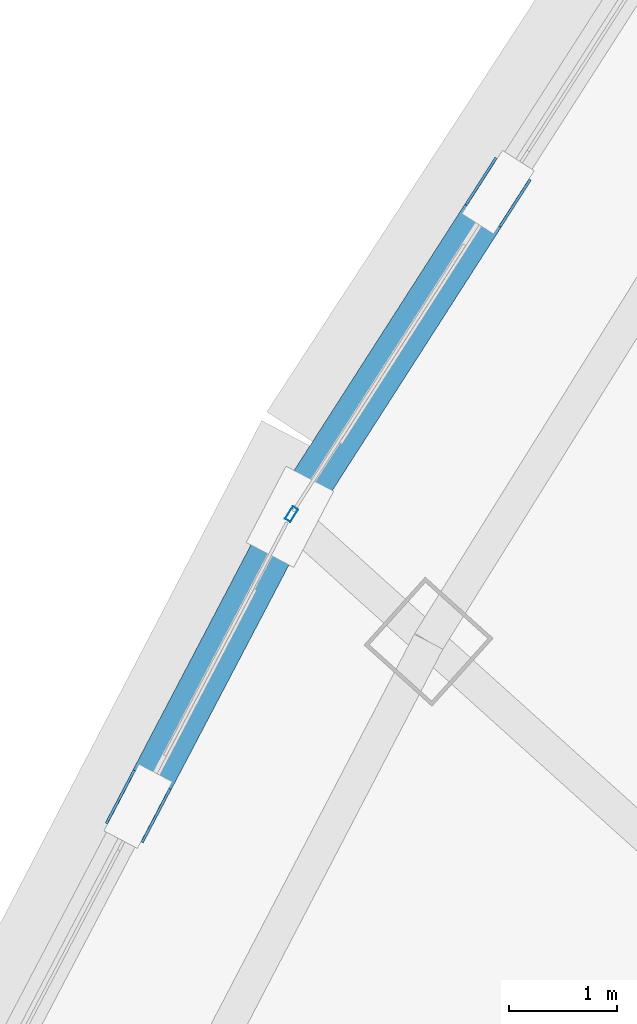
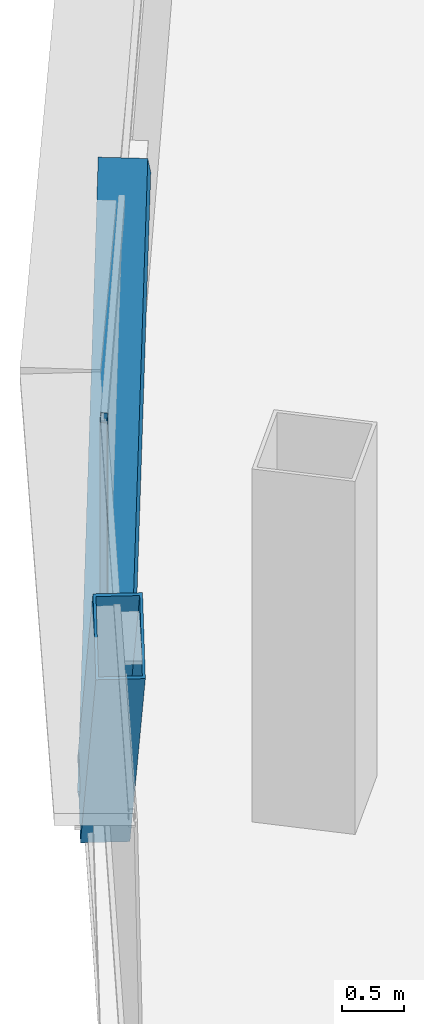
# One storey, part 17 of 37: 3 members, 1 element without a shape of its own.
"""IFC4 building model written with IfcOpenShell, lengths in metres."""

from ifc_helpers import new_model, si_unit, direction, frame, origin, origin_2d, place, context, subcontext, project, spatial, hollow_rectangle, extrude, source, transform, mapped, material, layer, layer_set, material_profile, profile_set, type_object, element, aggregate, save


model = new_model("IFC4")

# Units and contexts
model_context = context("Model", 3, precision=1e-05, world=origin(), true_north=direction((0.0, 1.0)))
body_context = subcontext(model_context, "Body", "Model", "MODEL_VIEW")
ifc_project = project(units=[si_unit("LENGTHUNIT", "METRE"), si_unit("AREAUNIT", "SQUARE_METRE"), si_unit("VOLUMEUNIT", "CUBIC_METRE"), si_unit("PLANEANGLEUNIT", "RADIAN"), si_unit("MASSUNIT", "GRAM", prefix="KILO"), si_unit("THERMODYNAMICTEMPERATUREUNIT", "KELVIN"), si_unit("POWERUNIT", "WATT")], contexts=[model_context])

# Site, building, storey
site_placement = place(None, origin())
site = spatial("IfcSite", under=ifc_project, at=site_placement, CompositionType="ELEMENT")
building_placement = place(site_placement, origin())
building = spatial("IfcBuilding", under=site, at=building_placement, Name="Yunzhuo Pagoda Commons", CompositionType="ELEMENT")
storey_placement = place(building_placement, frame((0.0, 0.0, 255.719970703125)))
storey = spatial("IfcBuildingStorey", under=building, at=storey_placement, Name="L64", CompositionType="ELEMENT", Elevation=255.719970703125)

# Members
ifc_material_1 = material(Name="Structural steel Q355B", Category="steel")
ifc_material_profile_1 = material_profile(ifc_material_1, hollow_rectangle(XDim=0.39990234375, YDim=0.719970703125, WallThickness=0.02392578125, at=origin_2d()), Name="Structural steel Q355B")
ifc_profile_set_1 = profile_set([ifc_material_profile_1], Name="Structural steel Q355B")
member_type_1 = type_object("IfcMemberType", Name="M-DL2 Brace BOX 720x400x24", PredefinedType="BRACE", material=ifc_profile_set_1)
shared_shape_1 = source(origin(), body_context, "Body", "SweptSolid", [
    extrude(hollow_rectangle(XDim=0.39990234375, YDim=0.719970703125, WallThickness=0.02392578125, at=origin_2d()), origin(), (0.0, 0.0, 1.0), 4.81201171875),
])
member_1_placement = place(storey_placement, frame((26.098388671875, 53.420654296875, -0.260009765625), z_axis=(-0.293305917238, -0.559569444943, 0.775147518347), x_axis=(0.885702610278, -0.464253041075, 0.0)))
element("IfcMember", 1, at=member_1_placement, inside=storey, type_object=member_type_1, Name="L64 facade diamond brace F3.2L", PredefinedType="BRACE", context=body_context, shape_type="MappedRepresentation", body=[
    mapped(shared_shape_1, transform((0.0, 0.0, 0.0), scale=1.0)),
])
shared_shape_2 = source(origin(), body_context, "Body", "SweptSolid", [
    extrude(hollow_rectangle(XDim=0.39990234375, YDim=0.719970703125, WallThickness=0.02392578125, at=origin_2d()), origin(), (0.0, 0.0, 1.0), 5.174560546875),
])
member_2_placement = place(storey_placement, frame((26.098388671875, 53.420654296875, -0.260009765625), z_axis=(0.374148129083, 0.583444610875, 0.720836710735), x_axis=(-0.841783964011, 0.539814558839, 0.0)))
element("IfcMember", 2, at=member_2_placement, inside=storey, type_object=member_type_1, Name="L64 facade diamond brace F3.1R", PredefinedType="BRACE", context=body_context, shape_type="MappedRepresentation", body=[
    mapped(shared_shape_2, transform((0.0, 0.0, 0.0), scale=1.0)),
])

# Curtain wall, member
ifc_material_2 = material(Name="Anodized aluminium 6063-T6", Category="aluminium")
ifc_layer = layer(ifc_material_2, 0.139892578125)
ifc_layer_set = layer_set([ifc_layer], Name="Anodized aluminium 6063-T6")
curtain_wall_type = type_object("IfcCurtainWallType", Name="CW-HI High-Zone Ribbon Curtain Wall", PredefinedType="NOTDEFINED", material=ifc_layer_set)
curtain_wall_placement = place(storey_placement, origin())
curtain_wall = element("IfcCurtainWall", 3, at=curtain_wall_placement, inside=storey, type_object=curtain_wall_type, Name="L64 curtain wall CW-L64-F3B2", PredefinedType="NOTDEFINED")
ifc_material_profile_2 = material_profile(ifc_material_2, hollow_rectangle(XDim=0.06005859375, YDim=0.139892578125, WallThickness=0.00341796875, at=origin_2d()), Name="Anodized aluminium 6063-T6")
ifc_profile_set_2 = profile_set([ifc_material_profile_2], Name="Anodized aluminium 6063-T6")
member_type_2 = type_object("IfcMemberType", Name="CW-HI-M Mullion RHS 140x60x3.5", PredefinedType="MULLION", material=ifc_profile_set_2)
shared_shape_3 = source(origin(), body_context, "Body", "SweptSolid", [
    extrude(hollow_rectangle(XDim=0.06005859375, YDim=0.139892578125, WallThickness=0.00341796875, at=origin_2d()), origin(), (0.0, 0.0, 1.0), 3.469970703125),
])
member_3_placement = place(storey_placement, frame((26.1142578125, 53.44580078125, 0.0), z_axis=(0.0, 0.0, 1.0), x_axis=(0.841750083847, -0.539867387738, 0.0)))
member_3 = element("IfcMember", 4, at=member_3_placement, type_object=member_type_2, Name="CW mullion 2", PredefinedType="MULLION", context=body_context, shape_type="MappedRepresentation", body=[
    mapped(shared_shape_3, transform((0.0, 0.0, 0.0), scale=1.0)),
])
aggregate(curtain_wall, [member_3])

save(model, "model.ifc")
